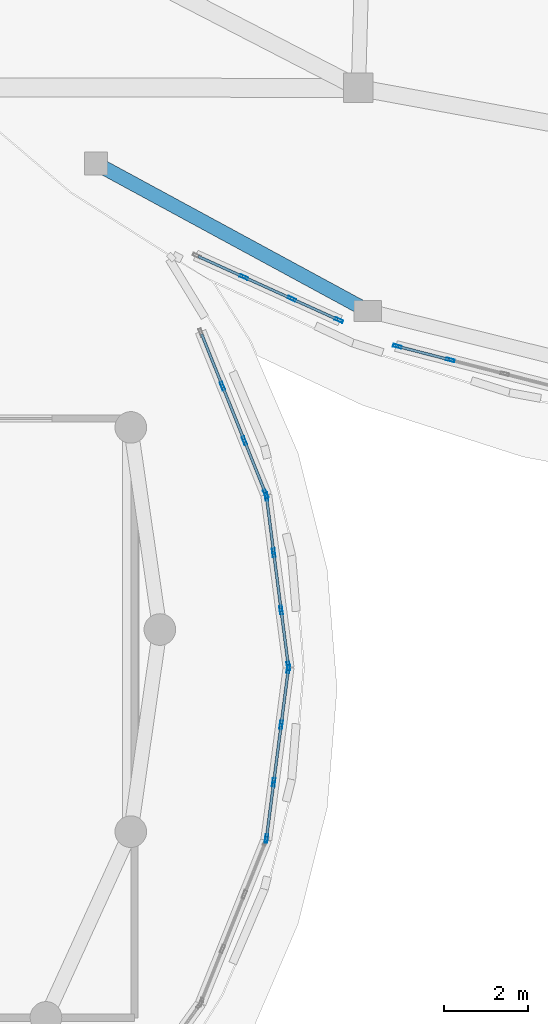
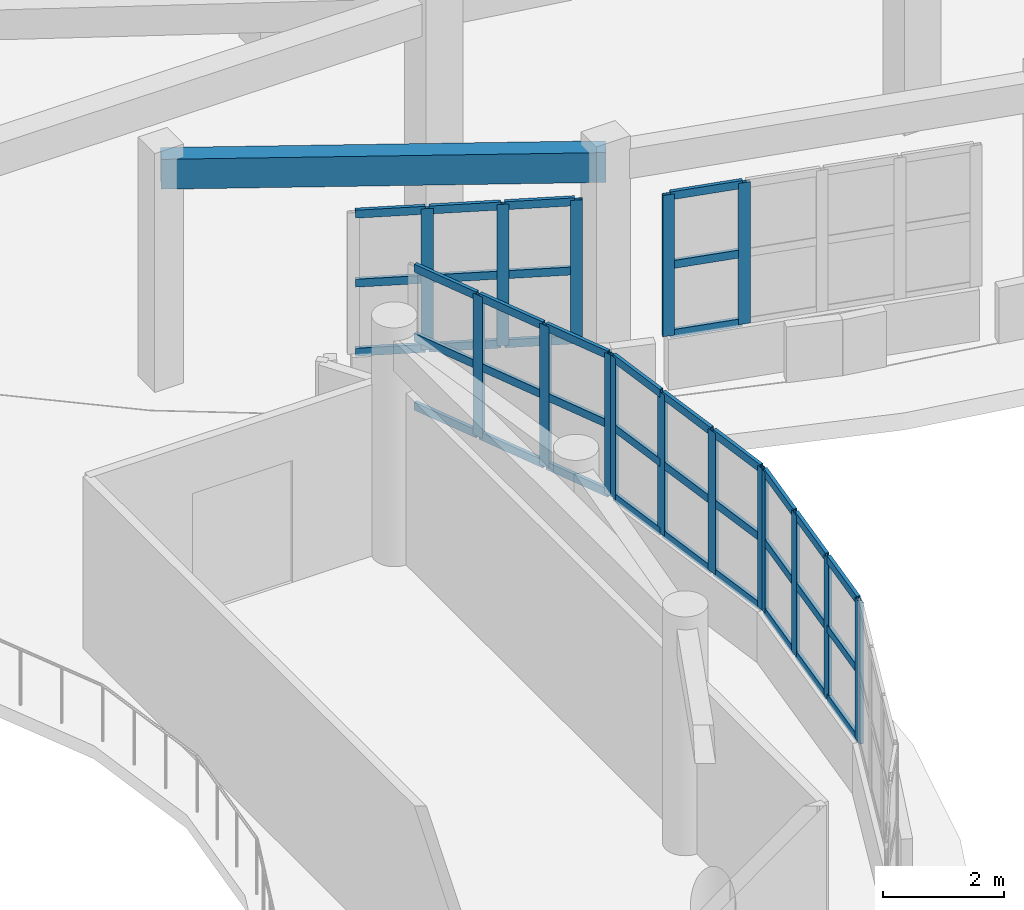
# One storey, part 27 of 98: 55 members, 1 beam, 5 elements without a shape of their own.
"""IFC4 building model written with IfcOpenShell, lengths in metres."""

from ifc_helpers import new_model, si_unit, direction, frame, origin, origin_2d, place, context, subcontext, project, spatial, rectangle, hollow_rectangle, extrude, material, layer, layer_set, material_profile, profile_set, type_object, element, aggregate, save


model = new_model("IFC4")

# Units and contexts
model_context = context("Model", 3, precision=1e-05, world=origin(), true_north=direction((0.0, 1.0)))
body_context = subcontext(model_context, "Body", "Model", "MODEL_VIEW")
ifc_project = project(units=[si_unit("LENGTHUNIT", "METRE"), si_unit("AREAUNIT", "SQUARE_METRE"), si_unit("VOLUMEUNIT", "CUBIC_METRE"), si_unit("PLANEANGLEUNIT", "RADIAN"), si_unit("MASSUNIT", "GRAM", prefix="KILO")], contexts=[model_context])

# Site, building, storey
site_placement = place(None, origin())
site = spatial("IfcSite", under=ifc_project, at=site_placement, CompositionType="ELEMENT")
building_placement = place(site_placement, origin())
building = spatial("IfcBuilding", under=site, at=building_placement, Name="Pelvatis Terrace Science Centre", CompositionType="ELEMENT")
storey_placement = place(building_placement, frame((0.0, 0.0, 5.39990234375)))
storey = spatial("IfcBuildingStorey", under=building, at=storey_placement, Name="L01", CompositionType="ELEMENT", Elevation=5.39990234375)

# Curtain wall, members
ifc_material_1 = material(Name="Bronze-anodised aluminium and laminated glass", Category="aluminium")
ifc_layer = layer(ifc_material_1, 0.199951171875)
ifc_layer_set = layer_set([ifc_layer], Name="Bronze-anodised aluminium and laminated glass")
curtain_wall_type = type_object("IfcCurtainWallType", Name="CW-RIBBON-B", PredefinedType="NOTDEFINED", material=ifc_layer_set)
curtain_wall_1_placement = place(storey_placement, origin())
curtain_wall_1 = element("IfcCurtainWall", 1, at=curtain_wall_1_placement, inside=storey, type_object=curtain_wall_type, Name="Ribbon curtain wall CW-060 (L01)", PredefinedType="NOTDEFINED")
ifc_material_2 = material(Name="Bronze-anodised aluminium 6063-T6", Category="aluminium")
ifc_material_profile_1 = material_profile(ifc_material_2, hollow_rectangle(XDim=0.06494140625, YDim=0.199951171875, WallThickness=0.00439453125, at=origin_2d()), Name="ALU-MUL 65x200")
ifc_profile_set_1 = profile_set([ifc_material_profile_1], Name="Bronze-anodised aluminium 6063-T6")
member_type_1 = type_object("IfcMemberType", Name="CWM-65x200", PredefinedType="MULLION", material=ifc_profile_set_1)
member_1_placement = place(storey_placement, frame((98.0458984375, 53.732177734375, 1.02001953125), z_axis=(0.0, 0.0, 1.0), x_axis=(-0.991749402633, -0.128191740674, 0.0)))
member_1 = element("IfcMember", 2, at=member_1_placement, type_object=member_type_1, Name="CW-060 mullion 1", PredefinedType="MULLION", context=body_context, shape_type="SweptSolid", body=[
    extrude(hollow_rectangle(XDim=0.06494140625, YDim=0.199951171875, WallThickness=0.00439453125, at=origin_2d()), origin(), (0.0, 0.0, 1.0), 2.840087890625),
])
member_2_placement = place(storey_placement, frame((97.8740234375, 55.06103515625, 1.02001953125), z_axis=(0.0, 0.0, 1.0), x_axis=(-0.991749402633, -0.128191740674, 0.0)))
member_2 = element("IfcMember", 3, at=member_2_placement, type_object=member_type_1, Name="CW-060 mullion 2", PredefinedType="MULLION", context=body_context, shape_type="SweptSolid", body=[
    extrude(hollow_rectangle(XDim=0.06494140625, YDim=0.199951171875, WallThickness=0.00439453125, at=origin_2d()), origin(), (0.0, 0.0, 1.0), 2.840087890625),
])
member_3_placement = place(storey_placement, frame((97.6982421875, 56.422119140625, 1.02001953125), z_axis=(0.0, 0.0, 1.0), x_axis=(-0.991749402633, -0.128191740674, 0.0)))
member_3 = element("IfcMember", 4, at=member_3_placement, type_object=member_type_1, Name="CW-060 mullion 3", PredefinedType="MULLION", context=body_context, shape_type="SweptSolid", body=[
    extrude(hollow_rectangle(XDim=0.06494140625, YDim=0.199951171875, WallThickness=0.00439453125, at=origin_2d()), origin(), (0.0, 0.0, 1.0), 2.840087890625),
])
member_4_placement = place(storey_placement, frame((97.5263671875, 57.7509765625, 1.02001953125), z_axis=(0.0, 0.0, 1.0), x_axis=(-0.991749402633, -0.128191740674, 0.0)))
member_4 = element("IfcMember", 5, at=member_4_placement, type_object=member_type_1, Name="CW-060 mullion 4", PredefinedType="MULLION", context=body_context, shape_type="SweptSolid", body=[
    extrude(hollow_rectangle(XDim=0.06494140625, YDim=0.199951171875, WallThickness=0.00439453125, at=origin_2d()), origin(), (0.0, 0.0, 1.0), 2.840087890625),
])

curtain_wall_2_placement = place(storey_placement, origin())
curtain_wall_2 = element("IfcCurtainWall", 6, at=curtain_wall_2_placement, inside=storey, type_object=curtain_wall_type, Name="Ribbon curtain wall CW-061 (L01)", PredefinedType="NOTDEFINED")
member_5_placement = place(storey_placement, frame((97.510009765625, 57.8134765625, 1.02001953125), z_axis=(0.0, 0.0, 1.0), x_axis=(-0.928030475045, -0.372504278349, 0.0)))
member_5 = element("IfcMember", 7, at=member_5_placement, type_object=member_type_1, Name="CW-061 mullion 1", PredefinedType="MULLION", context=body_context, shape_type="SweptSolid", body=[
    extrude(hollow_rectangle(XDim=0.06494140625, YDim=0.199951171875, WallThickness=0.00439453125, at=origin_2d()), origin(), (0.0, 0.0, 1.0), 2.840087890625),
])
member_6_placement = place(storey_placement, frame((97.003173828125, 59.076171875, 1.02001953125), z_axis=(0.0, 0.0, 1.0), x_axis=(-0.928030475045, -0.372504278349, 0.0)))
member_6 = element("IfcMember", 8, at=member_6_placement, type_object=member_type_1, Name="CW-061 mullion 2", PredefinedType="MULLION", context=body_context, shape_type="SweptSolid", body=[
    extrude(hollow_rectangle(XDim=0.06494140625, YDim=0.199951171875, WallThickness=0.00439453125, at=origin_2d()), origin(), (0.0, 0.0, 1.0), 2.840087890625),
])
member_7_placement = place(storey_placement, frame((96.484375, 60.368896484375, 1.02001953125), z_axis=(0.0, 0.0, 1.0), x_axis=(-0.928030475045, -0.372504278349, 0.0)))
member_7 = element("IfcMember", 9, at=member_7_placement, type_object=member_type_1, Name="CW-061 mullion 3", PredefinedType="MULLION", context=body_context, shape_type="SweptSolid", body=[
    extrude(hollow_rectangle(XDim=0.06494140625, YDim=0.199951171875, WallThickness=0.00439453125, at=origin_2d()), origin(), (0.0, 0.0, 1.0), 2.840087890625),
])

curtain_wall_3_placement = place(storey_placement, origin())
curtain_wall_3 = element("IfcCurtainWall", 10, at=curtain_wall_3_placement, inside=storey, type_object=curtain_wall_type, Name="Ribbon curtain wall CW-076 (L01)", PredefinedType="NOTDEFINED")
member_8_placement = place(storey_placement, frame((97.5263671875, 49.64892578125, 1.02001953125), z_axis=(0.0, 0.0, 1.0), x_axis=(-0.991749402633, 0.128191740674, 0.0)))
member_8 = element("IfcMember", 11, at=member_8_placement, type_object=member_type_1, Name="CW-076 mullion 1", PredefinedType="MULLION", context=body_context, shape_type="SweptSolid", body=[
    extrude(hollow_rectangle(XDim=0.06494140625, YDim=0.199951171875, WallThickness=0.00439453125, at=origin_2d()), origin(), (0.0, 0.0, 1.0), 2.840087890625),
])
member_9_placement = place(storey_placement, frame((97.6982421875, 50.977783203125, 1.02001953125), z_axis=(0.0, 0.0, 1.0), x_axis=(-0.991749402633, 0.128191740674, 0.0)))
member_9 = element("IfcMember", 12, at=member_9_placement, type_object=member_type_1, Name="CW-076 mullion 2", PredefinedType="MULLION", context=body_context, shape_type="SweptSolid", body=[
    extrude(hollow_rectangle(XDim=0.06494140625, YDim=0.199951171875, WallThickness=0.00439453125, at=origin_2d()), origin(), (0.0, 0.0, 1.0), 2.840087890625),
])
member_10_placement = place(storey_placement, frame((97.8740234375, 52.3388671875, 1.02001953125), z_axis=(0.0, 0.0, 1.0), x_axis=(-0.991749402633, 0.128191740674, 0.0)))
member_10 = element("IfcMember", 13, at=member_10_placement, type_object=member_type_1, Name="CW-076 mullion 3", PredefinedType="MULLION", context=body_context, shape_type="SweptSolid", body=[
    extrude(hollow_rectangle(XDim=0.06494140625, YDim=0.199951171875, WallThickness=0.00439453125, at=origin_2d()), origin(), (0.0, 0.0, 1.0), 2.840087890625),
])
member_11_placement = place(storey_placement, frame((98.0458984375, 53.667724609375, 1.02001953125), z_axis=(0.0, 0.0, 1.0), x_axis=(-0.991749402633, 0.128191740674, 0.0)))
member_11 = element("IfcMember", 14, at=member_11_placement, type_object=member_type_1, Name="CW-076 mullion 4", PredefinedType="MULLION", context=body_context, shape_type="SweptSolid", body=[
    extrude(hollow_rectangle(XDim=0.06494140625, YDim=0.199951171875, WallThickness=0.00439453125, at=origin_2d()), origin(), (0.0, 0.0, 1.0), 2.840087890625),
])

curtain_wall_4_placement = place(storey_placement, origin())
curtain_wall_4 = element("IfcCurtainWall", 15, at=curtain_wall_4_placement, inside=storey, type_object=curtain_wall_type, Name="Ribbon curtain wall CW-144 (L01)", PredefinedType="NOTDEFINED")
member_12_placement = place(storey_placement, frame((96.990234375, 62.951904296875, 1.02001953125), z_axis=(0.0, 0.0, 1.0), x_axis=(0.412430433047, 0.910989098671, 0.0)))
member_12 = element("IfcMember", 16, at=member_12_placement, type_object=member_type_1, Name="CW-144 mullion 2", PredefinedType="MULLION", context=body_context, shape_type="SweptSolid", body=[
    extrude(hollow_rectangle(XDim=0.06494140625, YDim=0.199951171875, WallThickness=0.00439453125, at=origin_2d()), origin(), (0.0, 0.0, 1.0), 2.840087890625),
])
member_13_placement = place(storey_placement, frame((98.130615234375, 62.435546875, 1.02001953125), z_axis=(0.0, 0.0, 1.0), x_axis=(0.412430433047, 0.910989098671, 0.0)))
member_13 = element("IfcMember", 17, at=member_13_placement, type_object=member_type_1, Name="CW-144 mullion 3", PredefinedType="MULLION", context=body_context, shape_type="SweptSolid", body=[
    extrude(hollow_rectangle(XDim=0.06494140625, YDim=0.199951171875, WallThickness=0.00439453125, at=origin_2d()), origin(), (0.0, 0.0, 1.0), 2.840087890625),
])
member_14_placement = place(storey_placement, frame((99.24169921875, 61.9326171875, 1.02001953125), z_axis=(0.0, 0.0, 1.0), x_axis=(0.412430433047, 0.910989098671, 0.0)))
member_14 = element("IfcMember", 18, at=member_14_placement, type_object=member_type_1, Name="CW-144 mullion 4", PredefinedType="MULLION", context=body_context, shape_type="SweptSolid", body=[
    extrude(hollow_rectangle(XDim=0.06494140625, YDim=0.199951171875, WallThickness=0.00439453125, at=origin_2d()), origin(), (0.0, 0.0, 1.0), 2.840087890625),
])

curtain_wall_5_placement = place(storey_placement, origin())
curtain_wall_5 = element("IfcCurtainWall", 19, at=curtain_wall_5_placement, inside=storey, type_object=curtain_wall_type, Name="Ribbon curtain wall CW-145 (L01)", PredefinedType="NOTDEFINED")
member_15_placement = place(storey_placement, frame((100.626708984375, 61.311767578125, 1.02001953125), z_axis=(0.0, 0.0, 1.0), x_axis=(0.248854534923, 0.968540871852, 0.0)))
member_15 = element("IfcMember", 20, at=member_15_placement, type_object=member_type_1, Name="CW-145 mullion 1", PredefinedType="MULLION", context=body_context, shape_type="SweptSolid", body=[
    extrude(hollow_rectangle(XDim=0.06494140625, YDim=0.199951171875, WallThickness=0.00439453125, at=origin_2d()), origin(), (0.0, 0.0, 1.0), 2.840087890625),
])
member_16_placement = place(storey_placement, frame((101.882568359375, 60.989013671875, 1.02001953125), z_axis=(0.0, 0.0, 1.0), x_axis=(0.248854534923, 0.968540871852, 0.0)))
member_16 = element("IfcMember", 21, at=member_16_placement, type_object=member_type_1, Name="CW-145 mullion 2", PredefinedType="MULLION", context=body_context, shape_type="SweptSolid", body=[
    extrude(hollow_rectangle(XDim=0.06494140625, YDim=0.199951171875, WallThickness=0.00439453125, at=origin_2d()), origin(), (0.0, 0.0, 1.0), 2.840087890625),
])

# Member
ifc_material_3 = material(Name="Bronze-anodised aluminium 6063-T6", Category="aluminium")
ifc_material_profile_2 = material_profile(ifc_material_3, hollow_rectangle(XDim=0.06494140625, YDim=0.159912109375, WallThickness=0.00390625, at=origin_2d()), Name="ALU-TRN 65x160")
ifc_profile_set_2 = profile_set([ifc_material_profile_2], Name="Bronze-anodised aluminium 6063-T6")
member_type_2 = type_object("IfcMemberType", Name="CWT-65x160", PredefinedType="USERDEFINED", material=ifc_profile_set_2)
member_17_placement = place(storey_placement, frame((98.041748046875, 53.764404296875, 1.052490234375), z_axis=(-0.128299434101, 0.99173547643, 0.0), x_axis=(-0.99173547643, -0.128299434101, 0.0)))
member_17 = element("IfcMember", 22, at=member_17_placement, type_object=member_type_2, Name="CW-060 transom 1.1", ObjectType="TRANSOM", PredefinedType="USERDEFINED", context=body_context, shape_type="SweptSolid", body=[
    extrude(hollow_rectangle(XDim=0.06494140625, YDim=0.159912109375, WallThickness=0.00390625, at=origin_2d()), origin(), (0.0, 0.0, 1.0), 1.27490234375),
])

member_18_placement = place(storey_placement, frame((98.041748046875, 53.764404296875, 2.440185546875), z_axis=(-0.128299434101, 0.99173547643, 0.0), x_axis=(-0.99173547643, -0.128299434101, 0.0)))
member_18 = element("IfcMember", 23, at=member_18_placement, type_object=member_type_2, Name="CW-060 transom 1.2", ObjectType="TRANSOM", PredefinedType="USERDEFINED", context=body_context, shape_type="SweptSolid", body=[
    extrude(hollow_rectangle(XDim=0.06494140625, YDim=0.159912109375, WallThickness=0.00390625, at=origin_2d()), origin(), (0.0, 0.0, 1.0), 1.27490234375),
])

member_19_placement = place(storey_placement, frame((98.041748046875, 53.764404296875, 3.82763671875), z_axis=(-0.128299434101, 0.99173547643, 0.0), x_axis=(-0.99173547643, -0.128299434101, 0.0)))
member_19 = element("IfcMember", 24, at=member_19_placement, type_object=member_type_2, Name="CW-060 transom 1.3", ObjectType="TRANSOM", PredefinedType="USERDEFINED", context=body_context, shape_type="SweptSolid", body=[
    extrude(hollow_rectangle(XDim=0.06494140625, YDim=0.159912109375, WallThickness=0.00390625, at=origin_2d()), origin(), (0.0, 0.0, 1.0), 1.27490234375),
])

member_20_placement = place(storey_placement, frame((97.869873046875, 55.09326171875, 1.052490234375), z_axis=(-0.128101689381, 0.991761038344, 0.0), x_axis=(-0.991761038344, -0.128101689381, 0.0)))
member_20 = element("IfcMember", 25, at=member_20_placement, type_object=member_type_2, Name="CW-060 transom 2.1", ObjectType="TRANSOM", PredefinedType="USERDEFINED", context=body_context, shape_type="SweptSolid", body=[
    extrude(hollow_rectangle(XDim=0.06494140625, YDim=0.159912109375, WallThickness=0.00390625, at=origin_2d()), origin(), (0.0, 0.0, 1.0), 1.307373046875),
])

member_21_placement = place(storey_placement, frame((97.869873046875, 55.09326171875, 2.440185546875), z_axis=(-0.128101689381, 0.991761038344, 0.0), x_axis=(-0.991761038344, -0.128101689381, 0.0)))
member_21 = element("IfcMember", 26, at=member_21_placement, type_object=member_type_2, Name="CW-060 transom 2.2", ObjectType="TRANSOM", PredefinedType="USERDEFINED", context=body_context, shape_type="SweptSolid", body=[
    extrude(hollow_rectangle(XDim=0.06494140625, YDim=0.159912109375, WallThickness=0.00390625, at=origin_2d()), origin(), (0.0, 0.0, 1.0), 1.307373046875),
])

member_22_placement = place(storey_placement, frame((97.869873046875, 55.09326171875, 3.82763671875), z_axis=(-0.128101689381, 0.991761038344, 0.0), x_axis=(-0.991761038344, -0.128101689381, 0.0)))
member_22 = element("IfcMember", 27, at=member_22_placement, type_object=member_type_2, Name="CW-060 transom 2.3", ObjectType="TRANSOM", PredefinedType="USERDEFINED", context=body_context, shape_type="SweptSolid", body=[
    extrude(hollow_rectangle(XDim=0.06494140625, YDim=0.159912109375, WallThickness=0.00390625, at=origin_2d()), origin(), (0.0, 0.0, 1.0), 1.307373046875),
])

member_23_placement = place(storey_placement, frame((97.69384765625, 56.454345703125, 1.052490234375), z_axis=(-0.128111087566, 0.991759824374, 0.0), x_axis=(-0.991759824374, -0.128111087566, 0.0)))
member_23 = element("IfcMember", 28, at=member_23_placement, type_object=member_type_2, Name="CW-060 transom 3.1", ObjectType="TRANSOM", PredefinedType="USERDEFINED", context=body_context, shape_type="SweptSolid", body=[
    extrude(hollow_rectangle(XDim=0.06494140625, YDim=0.159912109375, WallThickness=0.00390625, at=origin_2d()), origin(), (0.0, 0.0, 1.0), 1.27490234375),
])

member_24_placement = place(storey_placement, frame((97.69384765625, 56.454345703125, 2.440185546875), z_axis=(-0.128111087566, 0.991759824374, 0.0), x_axis=(-0.991759824374, -0.128111087566, 0.0)))
member_24 = element("IfcMember", 29, at=member_24_placement, type_object=member_type_2, Name="CW-060 transom 3.2", ObjectType="TRANSOM", PredefinedType="USERDEFINED", context=body_context, shape_type="SweptSolid", body=[
    extrude(hollow_rectangle(XDim=0.06494140625, YDim=0.159912109375, WallThickness=0.00390625, at=origin_2d()), origin(), (0.0, 0.0, 1.0), 1.27490234375),
])

member_25_placement = place(storey_placement, frame((97.69384765625, 56.454345703125, 3.82763671875), z_axis=(-0.128111087566, 0.991759824374, 0.0), x_axis=(-0.991759824374, -0.128111087566, 0.0)))
member_25 = element("IfcMember", 30, at=member_25_placement, type_object=member_type_2, Name="CW-060 transom 3.3", ObjectType="TRANSOM", PredefinedType="USERDEFINED", context=body_context, shape_type="SweptSolid", body=[
    extrude(hollow_rectangle(XDim=0.06494140625, YDim=0.159912109375, WallThickness=0.00390625, at=origin_2d()), origin(), (0.0, 0.0, 1.0), 1.27490234375),
])

aggregate(curtain_wall_1, [member_1, member_2, member_3, member_4, member_17, member_18, member_19, member_20, member_21, member_22, member_23, member_24, member_25])

member_26_placement = place(storey_placement, frame((97.498046875, 57.843505859375, 1.052490234375), z_axis=(-0.37252747961, 0.928021161901, 0.0), x_axis=(-0.928021161901, -0.37252747961, 0.0)))
member_26 = element("IfcMember", 31, at=member_26_placement, type_object=member_type_2, Name="CW-061 transom 1.1", ObjectType="TRANSOM", PredefinedType="USERDEFINED", context=body_context, shape_type="SweptSolid", body=[
    extrude(hollow_rectangle(XDim=0.06494140625, YDim=0.159912109375, WallThickness=0.00390625, at=origin_2d()), origin(), (0.0, 0.0, 1.0), 1.295654296875),
])

member_27_placement = place(storey_placement, frame((97.498046875, 57.843505859375, 2.440185546875), z_axis=(-0.37252747961, 0.928021161901, 0.0), x_axis=(-0.928021161901, -0.37252747961, 0.0)))
member_27 = element("IfcMember", 32, at=member_27_placement, type_object=member_type_2, Name="CW-061 transom 1.2", ObjectType="TRANSOM", PredefinedType="USERDEFINED", context=body_context, shape_type="SweptSolid", body=[
    extrude(hollow_rectangle(XDim=0.06494140625, YDim=0.159912109375, WallThickness=0.00390625, at=origin_2d()), origin(), (0.0, 0.0, 1.0), 1.295654296875),
])

member_28_placement = place(storey_placement, frame((97.498046875, 57.843505859375, 3.82763671875), z_axis=(-0.37252747961, 0.928021161901, 0.0), x_axis=(-0.928021161901, -0.37252747961, 0.0)))
member_28 = element("IfcMember", 33, at=member_28_placement, type_object=member_type_2, Name="CW-061 transom 1.3", ObjectType="TRANSOM", PredefinedType="USERDEFINED", context=body_context, shape_type="SweptSolid", body=[
    extrude(hollow_rectangle(XDim=0.06494140625, YDim=0.159912109375, WallThickness=0.00390625, at=origin_2d()), origin(), (0.0, 0.0, 1.0), 1.295654296875),
])

member_29_placement = place(storey_placement, frame((96.9912109375, 59.106201171875, 1.052490234375), z_axis=(-0.372562898394, 0.928006943261, 0.0), x_axis=(-0.928006943261, -0.372562898394, 0.0)))
member_29 = element("IfcMember", 34, at=member_29_placement, type_object=member_type_2, Name="CW-061 transom 2.1", ObjectType="TRANSOM", PredefinedType="USERDEFINED", context=body_context, shape_type="SweptSolid", body=[
    extrude(hollow_rectangle(XDim=0.06494140625, YDim=0.159912109375, WallThickness=0.00390625, at=origin_2d()), origin(), (0.0, 0.0, 1.0), 1.328369140625),
])

member_30_placement = place(storey_placement, frame((96.9912109375, 59.106201171875, 2.440185546875), z_axis=(-0.372562898394, 0.928006943261, 0.0), x_axis=(-0.928006943261, -0.372562898394, 0.0)))
member_30 = element("IfcMember", 35, at=member_30_placement, type_object=member_type_2, Name="CW-061 transom 2.2", ObjectType="TRANSOM", PredefinedType="USERDEFINED", context=body_context, shape_type="SweptSolid", body=[
    extrude(hollow_rectangle(XDim=0.06494140625, YDim=0.159912109375, WallThickness=0.00390625, at=origin_2d()), origin(), (0.0, 0.0, 1.0), 1.328369140625),
])

member_31_placement = place(storey_placement, frame((96.9912109375, 59.106201171875, 3.82763671875), z_axis=(-0.372562898394, 0.928006943261, 0.0), x_axis=(-0.928006943261, -0.372562898394, 0.0)))
member_31 = element("IfcMember", 36, at=member_31_placement, type_object=member_type_2, Name="CW-061 transom 2.3", ObjectType="TRANSOM", PredefinedType="USERDEFINED", context=body_context, shape_type="SweptSolid", body=[
    extrude(hollow_rectangle(XDim=0.06494140625, YDim=0.159912109375, WallThickness=0.00390625, at=origin_2d()), origin(), (0.0, 0.0, 1.0), 1.328369140625),
])

member_32_placement = place(storey_placement, frame((96.47216796875, 60.399169921875, 1.052490234375), z_axis=(-0.37252747961, 0.928021161901, 0.0), x_axis=(-0.928021161901, -0.37252747961, 0.0)))
member_32 = element("IfcMember", 37, at=member_32_placement, type_object=member_type_2, Name="CW-061 transom 3.1", ObjectType="TRANSOM", PredefinedType="USERDEFINED", context=body_context, shape_type="SweptSolid", body=[
    extrude(hollow_rectangle(XDim=0.06494140625, YDim=0.159912109375, WallThickness=0.00390625, at=origin_2d()), origin(), (0.0, 0.0, 1.0), 1.295654296875),
])

member_33_placement = place(storey_placement, frame((96.47216796875, 60.399169921875, 2.440185546875), z_axis=(-0.37252747961, 0.928021161901, 0.0), x_axis=(-0.928021161901, -0.37252747961, 0.0)))
member_33 = element("IfcMember", 38, at=member_33_placement, type_object=member_type_2, Name="CW-061 transom 3.2", ObjectType="TRANSOM", PredefinedType="USERDEFINED", context=body_context, shape_type="SweptSolid", body=[
    extrude(hollow_rectangle(XDim=0.06494140625, YDim=0.159912109375, WallThickness=0.00390625, at=origin_2d()), origin(), (0.0, 0.0, 1.0), 1.295654296875),
])

member_34_placement = place(storey_placement, frame((96.47216796875, 60.399169921875, 3.82763671875), z_axis=(-0.37252747961, 0.928021161901, 0.0), x_axis=(-0.928021161901, -0.37252747961, 0.0)))
member_34 = element("IfcMember", 39, at=member_34_placement, type_object=member_type_2, Name="CW-061 transom 3.3", ObjectType="TRANSOM", PredefinedType="USERDEFINED", context=body_context, shape_type="SweptSolid", body=[
    extrude(hollow_rectangle(XDim=0.06494140625, YDim=0.159912109375, WallThickness=0.00390625, at=origin_2d()), origin(), (0.0, 0.0, 1.0), 1.295654296875),
])

aggregate(curtain_wall_2, [member_5, member_6, member_7, member_26, member_27, member_28, member_29, member_30, member_31, member_32, member_33, member_34])

member_35_placement = place(storey_placement, frame((97.530517578125, 49.68115234375, 1.052490234375), z_axis=(0.128111087566, 0.991759824374, 0.0), x_axis=(-0.991759824374, 0.128111087566, 0.0)))
member_35 = element("IfcMember", 40, at=member_35_placement, type_object=member_type_2, Name="CW-076 transom 1.1", ObjectType="TRANSOM", PredefinedType="USERDEFINED", context=body_context, shape_type="SweptSolid", body=[
    extrude(hollow_rectangle(XDim=0.06494140625, YDim=0.159912109375, WallThickness=0.00390625, at=origin_2d()), origin(), (0.0, 0.0, 1.0), 1.27490234375),
])

member_36_placement = place(storey_placement, frame((97.530517578125, 49.68115234375, 2.440185546875), z_axis=(0.128111087566, 0.991759824374, 0.0), x_axis=(-0.991759824374, 0.128111087566, 0.0)))
member_36 = element("IfcMember", 41, at=member_36_placement, type_object=member_type_2, Name="CW-076 transom 1.2", ObjectType="TRANSOM", PredefinedType="USERDEFINED", context=body_context, shape_type="SweptSolid", body=[
    extrude(hollow_rectangle(XDim=0.06494140625, YDim=0.159912109375, WallThickness=0.00390625, at=origin_2d()), origin(), (0.0, 0.0, 1.0), 1.27490234375),
])

member_37_placement = place(storey_placement, frame((97.530517578125, 49.68115234375, 3.82763671875), z_axis=(0.128111087566, 0.991759824374, 0.0), x_axis=(-0.991759824374, 0.128111087566, 0.0)))
member_37 = element("IfcMember", 42, at=member_37_placement, type_object=member_type_2, Name="CW-076 transom 1.3", ObjectType="TRANSOM", PredefinedType="USERDEFINED", context=body_context, shape_type="SweptSolid", body=[
    extrude(hollow_rectangle(XDim=0.06494140625, YDim=0.159912109375, WallThickness=0.00390625, at=origin_2d()), origin(), (0.0, 0.0, 1.0), 1.27490234375),
])

member_38_placement = place(storey_placement, frame((97.702392578125, 51.010009765625, 1.052490234375), z_axis=(0.128101689381, 0.991761038344, 0.0), x_axis=(-0.991761038344, 0.128101689381, 0.0)))
member_38 = element("IfcMember", 43, at=member_38_placement, type_object=member_type_2, Name="CW-076 transom 2.1", ObjectType="TRANSOM", PredefinedType="USERDEFINED", context=body_context, shape_type="SweptSolid", body=[
    extrude(hollow_rectangle(XDim=0.06494140625, YDim=0.159912109375, WallThickness=0.00390625, at=origin_2d()), origin(), (0.0, 0.0, 1.0), 1.307373046875),
])

member_39_placement = place(storey_placement, frame((97.702392578125, 51.010009765625, 2.440185546875), z_axis=(0.128101689381, 0.991761038344, 0.0), x_axis=(-0.991761038344, 0.128101689381, 0.0)))
member_39 = element("IfcMember", 44, at=member_39_placement, type_object=member_type_2, Name="CW-076 transom 2.2", ObjectType="TRANSOM", PredefinedType="USERDEFINED", context=body_context, shape_type="SweptSolid", body=[
    extrude(hollow_rectangle(XDim=0.06494140625, YDim=0.159912109375, WallThickness=0.00390625, at=origin_2d()), origin(), (0.0, 0.0, 1.0), 1.307373046875),
])

member_40_placement = place(storey_placement, frame((97.702392578125, 51.010009765625, 3.82763671875), z_axis=(0.128101689381, 0.991761038344, 0.0), x_axis=(-0.991761038344, 0.128101689381, 0.0)))
member_40 = element("IfcMember", 45, at=member_40_placement, type_object=member_type_2, Name="CW-076 transom 2.3", ObjectType="TRANSOM", PredefinedType="USERDEFINED", context=body_context, shape_type="SweptSolid", body=[
    extrude(hollow_rectangle(XDim=0.06494140625, YDim=0.159912109375, WallThickness=0.00390625, at=origin_2d()), origin(), (0.0, 0.0, 1.0), 1.307373046875),
])

member_41_placement = place(storey_placement, frame((97.878173828125, 52.37109375, 1.052490234375), z_axis=(0.128299434101, 0.99173547643, 0.0), x_axis=(-0.99173547643, 0.128299434101, 0.0)))
member_41 = element("IfcMember", 46, at=member_41_placement, type_object=member_type_2, Name="CW-076 transom 3.1", ObjectType="TRANSOM", PredefinedType="USERDEFINED", context=body_context, shape_type="SweptSolid", body=[
    extrude(hollow_rectangle(XDim=0.06494140625, YDim=0.159912109375, WallThickness=0.00390625, at=origin_2d()), origin(), (0.0, 0.0, 1.0), 1.27490234375),
])

member_42_placement = place(storey_placement, frame((97.878173828125, 52.37109375, 2.440185546875), z_axis=(0.128299434101, 0.99173547643, 0.0), x_axis=(-0.99173547643, 0.128299434101, 0.0)))
member_42 = element("IfcMember", 47, at=member_42_placement, type_object=member_type_2, Name="CW-076 transom 3.2", ObjectType="TRANSOM", PredefinedType="USERDEFINED", context=body_context, shape_type="SweptSolid", body=[
    extrude(hollow_rectangle(XDim=0.06494140625, YDim=0.159912109375, WallThickness=0.00390625, at=origin_2d()), origin(), (0.0, 0.0, 1.0), 1.27490234375),
])

member_43_placement = place(storey_placement, frame((97.878173828125, 52.37109375, 3.82763671875), z_axis=(0.128299434101, 0.99173547643, 0.0), x_axis=(-0.99173547643, 0.128299434101, 0.0)))
member_43 = element("IfcMember", 48, at=member_43_placement, type_object=member_type_2, Name="CW-076 transom 3.3", ObjectType="TRANSOM", PredefinedType="USERDEFINED", context=body_context, shape_type="SweptSolid", body=[
    extrude(hollow_rectangle(XDim=0.06494140625, YDim=0.159912109375, WallThickness=0.00390625, at=origin_2d()), origin(), (0.0, 0.0, 1.0), 1.27490234375),
])

aggregate(curtain_wall_3, [member_8, member_9, member_10, member_11, member_35, member_36, member_37, member_38, member_39, member_40, member_41, member_42, member_43])

member_44_placement = place(storey_placement, frame((95.908935546875, 63.44140625, 1.052490234375), z_axis=(0.910981171797, -0.412447941724, 0.0), x_axis=(0.412447941724, 0.910981171797, 0.0)))
member_44 = element("IfcMember", 49, at=member_44_placement, type_object=member_type_2, Name="CW-144 transom 1.1", ObjectType="TRANSOM", PredefinedType="USERDEFINED", context=body_context, shape_type="SweptSolid", body=[
    extrude(hollow_rectangle(XDim=0.06494140625, YDim=0.159912109375, WallThickness=0.00390625, at=origin_2d()), origin(), (0.0, 0.0, 1.0), 1.154296875),
])

member_45_placement = place(storey_placement, frame((95.908935546875, 63.44140625, 2.440185546875), z_axis=(0.910981171797, -0.412447941724, 0.0), x_axis=(0.412447941724, 0.910981171797, 0.0)))
member_45 = element("IfcMember", 50, at=member_45_placement, type_object=member_type_2, Name="CW-144 transom 1.2", ObjectType="TRANSOM", PredefinedType="USERDEFINED", context=body_context, shape_type="SweptSolid", body=[
    extrude(hollow_rectangle(XDim=0.06494140625, YDim=0.159912109375, WallThickness=0.00390625, at=origin_2d()), origin(), (0.0, 0.0, 1.0), 1.154296875),
])

member_46_placement = place(storey_placement, frame((95.908935546875, 63.44140625, 3.82763671875), z_axis=(0.910981171797, -0.412447941724, 0.0), x_axis=(0.412447941724, 0.910981171797, 0.0)))
member_46 = element("IfcMember", 51, at=member_46_placement, type_object=member_type_2, Name="CW-144 transom 1.3", ObjectType="TRANSOM", PredefinedType="USERDEFINED", context=body_context, shape_type="SweptSolid", body=[
    extrude(hollow_rectangle(XDim=0.06494140625, YDim=0.159912109375, WallThickness=0.00390625, at=origin_2d()), origin(), (0.0, 0.0, 1.0), 1.154296875),
])

member_47_placement = place(storey_placement, frame((97.019775390625, 62.9384765625, 1.052490234375), z_axis=(0.910999383935, -0.412407713883, 0.0), x_axis=(0.412407713883, 0.910999383935, 0.0)))
member_47 = element("IfcMember", 52, at=member_47_placement, type_object=member_type_2, Name="CW-144 transom 2.1", ObjectType="TRANSOM", PredefinedType="USERDEFINED", context=body_context, shape_type="SweptSolid", body=[
    extrude(hollow_rectangle(XDim=0.06494140625, YDim=0.159912109375, WallThickness=0.00390625, at=origin_2d()), origin(), (0.0, 0.0, 1.0), 1.18701171875),
])

member_48_placement = place(storey_placement, frame((97.019775390625, 62.9384765625, 2.440185546875), z_axis=(0.910999383935, -0.412407713883, 0.0), x_axis=(0.412407713883, 0.910999383935, 0.0)))
member_48 = element("IfcMember", 53, at=member_48_placement, type_object=member_type_2, Name="CW-144 transom 2.2", ObjectType="TRANSOM", PredefinedType="USERDEFINED", context=body_context, shape_type="SweptSolid", body=[
    extrude(hollow_rectangle(XDim=0.06494140625, YDim=0.159912109375, WallThickness=0.00390625, at=origin_2d()), origin(), (0.0, 0.0, 1.0), 1.18701171875),
])

member_49_placement = place(storey_placement, frame((97.019775390625, 62.9384765625, 3.82763671875), z_axis=(0.910999383935, -0.412407713883, 0.0), x_axis=(0.412407713883, 0.910999383935, 0.0)))
member_49 = element("IfcMember", 54, at=member_49_placement, type_object=member_type_2, Name="CW-144 transom 2.3", ObjectType="TRANSOM", PredefinedType="USERDEFINED", context=body_context, shape_type="SweptSolid", body=[
    extrude(hollow_rectangle(XDim=0.06494140625, YDim=0.159912109375, WallThickness=0.00390625, at=origin_2d()), origin(), (0.0, 0.0, 1.0), 1.18701171875),
])

member_50_placement = place(storey_placement, frame((98.160400390625, 62.422119140625, 1.052490234375), z_axis=(0.911017142365, -0.412368483661, 0.0), x_axis=(0.412368483661, 0.911017142365, 0.0)))
member_50 = element("IfcMember", 55, at=member_50_placement, type_object=member_type_2, Name="CW-144 transom 3.1", ObjectType="TRANSOM", PredefinedType="USERDEFINED", context=body_context, shape_type="SweptSolid", body=[
    extrude(hollow_rectangle(XDim=0.06494140625, YDim=0.159912109375, WallThickness=0.00390625, at=origin_2d()), origin(), (0.0, 0.0, 1.0), 1.154541015625),
])

member_51_placement = place(storey_placement, frame((98.160400390625, 62.422119140625, 2.440185546875), z_axis=(0.911017142365, -0.412368483661, 0.0), x_axis=(0.412368483661, 0.911017142365, 0.0)))
member_51 = element("IfcMember", 56, at=member_51_placement, type_object=member_type_2, Name="CW-144 transom 3.2", ObjectType="TRANSOM", PredefinedType="USERDEFINED", context=body_context, shape_type="SweptSolid", body=[
    extrude(hollow_rectangle(XDim=0.06494140625, YDim=0.159912109375, WallThickness=0.00390625, at=origin_2d()), origin(), (0.0, 0.0, 1.0), 1.154541015625),
])

member_52_placement = place(storey_placement, frame((98.160400390625, 62.422119140625, 3.82763671875), z_axis=(0.911017142365, -0.412368483661, 0.0), x_axis=(0.412368483661, 0.911017142365, 0.0)))
member_52 = element("IfcMember", 57, at=member_52_placement, type_object=member_type_2, Name="CW-144 transom 3.3", ObjectType="TRANSOM", PredefinedType="USERDEFINED", context=body_context, shape_type="SweptSolid", body=[
    extrude(hollow_rectangle(XDim=0.06494140625, YDim=0.159912109375, WallThickness=0.00390625, at=origin_2d()), origin(), (0.0, 0.0, 1.0), 1.154541015625),
])

aggregate(curtain_wall_4, [member_12, member_13, member_14, member_44, member_45, member_46, member_47, member_48, member_49, member_50, member_51, member_52])

member_53_placement = place(storey_placement, frame((100.658203125, 61.3037109375, 1.052490234375), z_axis=(0.968524336877, -0.248918880114, 0.0), x_axis=(0.248918880114, 0.968524336877, 0.0)))
member_53 = element("IfcMember", 58, at=member_53_placement, type_object=member_type_2, Name="CW-145 transom 1.1", ObjectType="TRANSOM", PredefinedType="USERDEFINED", context=body_context, shape_type="SweptSolid", body=[
    extrude(hollow_rectangle(XDim=0.06494140625, YDim=0.159912109375, WallThickness=0.00390625, at=origin_2d()), origin(), (0.0, 0.0, 1.0), 1.23193359375),
])

member_54_placement = place(storey_placement, frame((100.658203125, 61.3037109375, 2.440185546875), z_axis=(0.968524336877, -0.248918880114, 0.0), x_axis=(0.248918880114, 0.968524336877, 0.0)))
member_54 = element("IfcMember", 59, at=member_54_placement, type_object=member_type_2, Name="CW-145 transom 1.2", ObjectType="TRANSOM", PredefinedType="USERDEFINED", context=body_context, shape_type="SweptSolid", body=[
    extrude(hollow_rectangle(XDim=0.06494140625, YDim=0.159912109375, WallThickness=0.00390625, at=origin_2d()), origin(), (0.0, 0.0, 1.0), 1.23193359375),
])

member_55_placement = place(storey_placement, frame((100.658203125, 61.3037109375, 3.82763671875), z_axis=(0.968524336877, -0.248918880114, 0.0), x_axis=(0.248918880114, 0.968524336877, 0.0)))
member_55 = element("IfcMember", 60, at=member_55_placement, type_object=member_type_2, Name="CW-145 transom 1.3", ObjectType="TRANSOM", PredefinedType="USERDEFINED", context=body_context, shape_type="SweptSolid", body=[
    extrude(hollow_rectangle(XDim=0.06494140625, YDim=0.159912109375, WallThickness=0.00390625, at=origin_2d()), origin(), (0.0, 0.0, 1.0), 1.23193359375),
])

aggregate(curtain_wall_5, [member_15, member_16, member_53, member_54, member_55])

# Beam
ifc_material_4 = material(Name="Concrete C35/45", Category="concrete")
ifc_material_profile_3 = material_profile(ifc_material_4, rectangle(XDim=0.340087890625, YDim=0.60009765625, at=origin_2d()), Name="RC-SPN 340x600")
ifc_profile_set_3 = profile_set([ifc_material_profile_3], Name="Concrete C35/45")
beam_type = type_object("IfcBeamType", Name="SPN-RC-340x600", PredefinedType="SPANDREL", material=ifc_profile_set_3)
beam_placement = place(storey_placement, frame((93.484130859375, 65.64453125, 4.239990234375), z_axis=(0.879051735315, -0.476726385509, 0.0), x_axis=(0.476726385509, 0.879051735315, 0.0)))
element("IfcBeam", 61, at=beam_placement, inside=storey, type_object=beam_type, Name="Spandrel SP-L01-2657", PredefinedType="SPANDREL", context=body_context, shape_type="SweptSolid", body=[
    extrude(rectangle(XDim=0.340087890625, YDim=0.60009765625, at=origin_2d()), origin(), (0.0, 0.0, 1.0), 7.327392578125),
])

save(model, "model.ifc")
